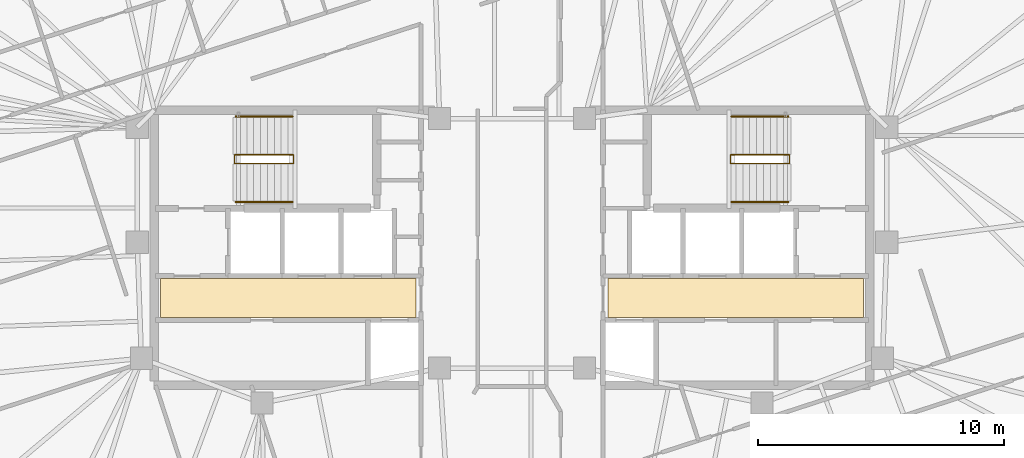
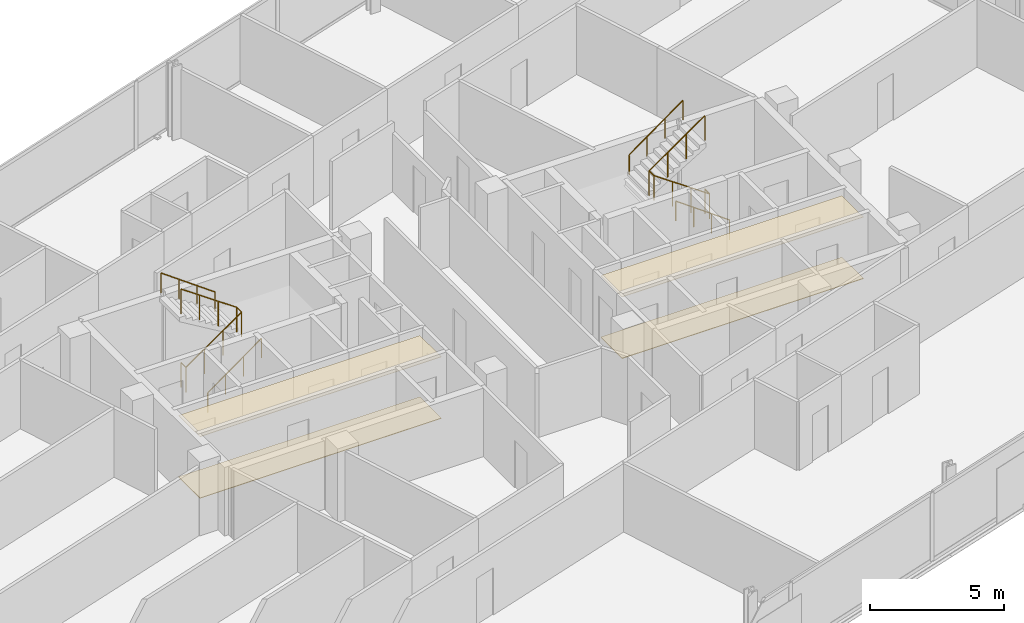
# One storey, part 19 of 19: 6 railings, 4 coverings.
"""IFC4 building model written with IfcOpenShell, lengths in metres."""

from ifc_helpers import new_model, si_unit, direction, frame, origin, origin_2d, place, context, subcontext, project, spatial, polyline, circle, outline, extrude, material, layer, layer_set, type_object, element, save


model = new_model("IFC4")

# Units and contexts
model_context = context("Model", 3, precision=1e-05, world=origin(), true_north=direction((0.0, 1.0)))
body_context = subcontext(model_context, "Body", "Model", "MODEL_VIEW")
ifc_project = project(units=[si_unit("LENGTHUNIT", "METRE"), si_unit("AREAUNIT", "SQUARE_METRE"), si_unit("VOLUMEUNIT", "CUBIC_METRE"), si_unit("PLANEANGLEUNIT", "RADIAN"), si_unit("MASSUNIT", "GRAM", prefix="KILO")], contexts=[model_context])

# Site, building, storey
site_placement = place(None, origin())
site = spatial("IfcSite", under=ifc_project, at=site_placement, CompositionType="ELEMENT")
building_placement = place(site_placement, origin())
building = spatial("IfcBuilding", under=site, at=building_placement, Name="Menara Jurai Vektor", CompositionType="ELEMENT")
storey_placement = place(building_placement, frame((0.0, 0.0, 210.89990234375)))
storey = spatial("IfcBuildingStorey", under=building, at=storey_placement, Name="L55", CompositionType="ELEMENT", Elevation=210.89990234375)

# Coverings
ifc_material_1 = material(Name="Mineral Fibre Acoustic Ceiling Tile", Category="gypsum")
ifc_layer_1 = layer(ifc_material_1, 0.02001953125)
ifc_layer_set_1 = layer_set([ifc_layer_1], Name="Mineral Fibre Acoustic Ceiling Tile")
covering_type_1 = type_object("IfcCoveringType", Name="COV-CEILING-ACOUSTIC", PredefinedType="CEILING", material=ifc_layer_set_1)
covering_1_placement = place(storey_placement, frame((0.0, 0.0, 2.80517578125)))
element("IfcCovering", 1, at=covering_1_placement, inside=storey, type_object=covering_type_1, Name="Acoustic Lift Lobby Ceiling W L55", PredefinedType="CEILING", context=body_context, shape_type="SweptSolid", body=[
    extrude(outline(polyline([(-14.300048828125, -2.85009765625), (-3.89990234375, -2.85009765625), (-3.89990234375, -1.25), (-14.300048828125, -1.25), (-14.300048828125, -2.85009765625)])), origin(), (0.0, 0.0, 1.0), 0.02001953125),
])
covering_2_placement = place(storey_placement, frame((0.0, 0.0, 2.80517578125)))
element("IfcCovering", 2, at=covering_2_placement, inside=storey, type_object=covering_type_1, Name="Acoustic Lift Lobby Ceiling E L55", PredefinedType="CEILING", context=body_context, shape_type="SweptSolid", body=[
    extrude(outline(polyline([(3.89990234375, -2.85009765625), (14.300048828125, -2.85009765625), (14.300048828125, -1.25), (3.89990234375, -1.25), (3.89990234375, -2.85009765625)])), origin(), (0.0, 0.0, 1.0), 0.02001953125),
])
ifc_material_2 = material(Name="Honed Granite Lobby Flooring", Category="masonry")
ifc_layer_2 = layer(ifc_material_2, 0.02490234375)
ifc_layer_set_2 = layer_set([ifc_layer_2], Name="Honed Granite Lobby Flooring")
covering_type_2 = type_object("IfcCoveringType", Name="COV-FLOOR-STONE", PredefinedType="FLOORING", material=ifc_layer_set_2)
covering_3_placement = place(storey_placement, origin())
element("IfcCovering", 3, at=covering_3_placement, inside=storey, type_object=covering_type_2, Name="Granite Lift Lobby Flooring W L55", PredefinedType="FLOORING", context=body_context, shape_type="SweptSolid", body=[
    extrude(outline(polyline([(-14.300048828125, -2.85009765625), (-3.89990234375, -2.85009765625), (-3.89990234375, -1.25), (-14.300048828125, -1.25), (-14.300048828125, -2.85009765625)])), origin(), (0.0, 0.0, 1.0), 0.025146484375),
])
covering_4_placement = place(storey_placement, origin())
element("IfcCovering", 4, at=covering_4_placement, inside=storey, type_object=covering_type_2, Name="Granite Lift Lobby Flooring E L55", PredefinedType="FLOORING", context=body_context, shape_type="SweptSolid", body=[
    extrude(outline(polyline([(3.89990234375, -2.85009765625), (14.300048828125, -2.85009765625), (14.300048828125, -1.25), (3.89990234375, -1.25), (3.89990234375, -2.85009765625)])), origin(), (0.0, 0.0, 1.0), 0.025146484375),
])

# Railings
ifc_material_3 = material(Name="Painted Galvanised Steel Balustrade", Category="steel")
railing_type_1 = type_object("IfcRailingType", Name="RAIL-STAIR-GUARD", PredefinedType="GUARDRAIL", material=ifc_material_3)
railing_1_placement = place(storey_placement, frame((-11.2900390625, 3.780029296875, 0.0)))
element("IfcRailing", 5, at=railing_1_placement, inside=storey, type_object=railing_type_1, Name="ST1 Stair Guardrail 1 L55", PredefinedType="GUARDRAIL", context=body_context, shape_type="SweptSolid", body=[
    extrude(circle(Radius=0.02392578125, at=origin_2d()), frame((0.0, 0.0, 1.1259765625), z_axis=(0.0, -1.0, 0.0), x_axis=(1.0, 0.0, 0.0)), (0.0, 0.0, 1.0), 0.360107421875),
    extrude(circle(Radius=0.02392578125, at=origin_2d()), frame((0.0, -0.360107421875, 1.1259765625), z_axis=(0.820042287322, 0.0, 0.572302932898), x_axis=(0.0, 1.0, 0.0)), (0.0, 0.0, 1.0), 2.9267578125),
    extrude(circle(Radius=0.02392578125, at=origin_2d()), frame((2.400146484375, -0.360107421875, 2.80078125), z_axis=(0.0, 1.0, 0.0), x_axis=(-1.0, 0.0, 0.0)), (0.0, 0.0, 1.0), 0.360107421875),
    extrude(circle(Radius=0.02392578125, at=origin_2d()), frame((2.400146484375, 0.0, 2.80078125), z_axis=(-0.820042287322, 0.0, 0.572302932898), x_axis=(0.0, -1.0, 0.0)), (0.0, 0.0, 1.0), 2.9267578125),
    extrude(circle(Radius=0.02099609375, at=origin_2d()), origin(), (0.0, 0.0, 1.0), 1.101806640625),
    extrude(circle(Radius=0.02099609375, at=origin_2d()), frame((0.0, -0.360107421875, 0.0)), (0.0, 0.0, 1.0), 1.101806640625),
    extrude(circle(Radius=0.02099609375, at=origin_2d()), frame((0.800048828125, -0.360107421875, 0.558349609375)), (0.0, 0.0, 1.0), 1.101806640625),
    extrude(circle(Radius=0.02099609375, at=origin_2d()), frame((1.60009765625, -0.360107421875, 1.11669921875)), (0.0, 0.0, 1.0), 1.101806640625),
    extrude(circle(Radius=0.02099609375, at=origin_2d()), frame((2.400146484375, -0.360107421875, 1.675048828125)), (0.0, 0.0, 1.0), 1.101806640625),
    extrude(circle(Radius=0.02099609375, at=origin_2d()), frame((2.400146484375, 0.0, 1.675048828125)), (0.0, 0.0, 1.0), 1.101806640625),
    extrude(circle(Radius=0.02099609375, at=origin_2d()), frame((1.60009765625, 0.0, 2.2333984375)), (0.0, 0.0, 1.0), 1.101806640625),
    extrude(circle(Radius=0.02099609375, at=origin_2d()), frame((0.800048828125, 0.0, 2.791748046875)), (0.0, 0.0, 1.0), 1.101806640625),
    extrude(circle(Radius=0.02099609375, at=origin_2d()), frame((0.0, 0.0, 3.35009765625)), (0.0, 0.0, 1.0), 1.101806640625),
])
railing_2_placement = place(storey_placement, frame((11.2900390625, 3.780029296875, 0.0)))
element("IfcRailing", 6, at=railing_2_placement, inside=storey, type_object=railing_type_1, Name="ST2 Stair Guardrail 1 L55", PredefinedType="GUARDRAIL", context=body_context, shape_type="SweptSolid", body=[
    extrude(circle(Radius=0.02392578125, at=origin_2d()), frame((0.0, 0.0, 1.1259765625), z_axis=(0.0, -1.0, 0.0), x_axis=(1.0, 0.0, 0.0)), (0.0, 0.0, 1.0), 0.360107421875),
    extrude(circle(Radius=0.02392578125, at=origin_2d()), frame((0.0, -0.360107421875, 1.1259765625), z_axis=(-0.820042287322, 0.0, 0.572302932898), x_axis=(0.0, -1.0, 0.0)), (0.0, 0.0, 1.0), 2.9267578125),
    extrude(circle(Radius=0.02392578125, at=origin_2d()), frame((-2.400146484375, -0.360107421875, 2.80078125), z_axis=(0.0, 1.0, 0.0), x_axis=(-1.0, 0.0, 0.0)), (0.0, 0.0, 1.0), 0.360107421875),
    extrude(circle(Radius=0.02392578125, at=origin_2d()), frame((-2.400146484375, 0.0, 2.80078125), z_axis=(0.820042287322, 0.0, 0.572302932898), x_axis=(0.0, 1.0, 0.0)), (0.0, 0.0, 1.0), 2.9267578125),
    extrude(circle(Radius=0.02099609375, at=origin_2d()), origin(), (0.0, 0.0, 1.0), 1.101806640625),
    extrude(circle(Radius=0.02099609375, at=origin_2d()), frame((0.0, -0.360107421875, 0.0)), (0.0, 0.0, 1.0), 1.101806640625),
    extrude(circle(Radius=0.02099609375, at=origin_2d()), frame((-0.800048828125, -0.360107421875, 0.558349609375)), (0.0, 0.0, 1.0), 1.101806640625),
    extrude(circle(Radius=0.02099609375, at=origin_2d()), frame((-1.60009765625, -0.360107421875, 1.11669921875)), (0.0, 0.0, 1.0), 1.101806640625),
    extrude(circle(Radius=0.02099609375, at=origin_2d()), frame((-2.400146484375, -0.360107421875, 1.675048828125)), (0.0, 0.0, 1.0), 1.101806640625),
    extrude(circle(Radius=0.02099609375, at=origin_2d()), frame((-2.400146484375, 0.0, 1.675048828125)), (0.0, 0.0, 1.0), 1.101806640625),
    extrude(circle(Radius=0.02099609375, at=origin_2d()), frame((-1.60009765625, 0.0, 2.2333984375)), (0.0, 0.0, 1.0), 1.101806640625),
    extrude(circle(Radius=0.02099609375, at=origin_2d()), frame((-0.800048828125, 0.0, 2.791748046875)), (0.0, 0.0, 1.0), 1.101806640625),
    extrude(circle(Radius=0.02099609375, at=origin_2d()), frame((0.0, 0.0, 3.35009765625)), (0.0, 0.0, 1.0), 1.101806640625),
])
ifc_material_4 = material(Name="Brushed Stainless Steel Handrail", Category="steel")
railing_type_2 = type_object("IfcRailingType", Name="RAIL-STAIR-HAND", PredefinedType="HANDRAIL", material=ifc_material_4)
railing_3_placement = place(storey_placement, frame((-11.25, 1.860107421875, 0.0)))
element("IfcRailing", 7, at=railing_3_placement, inside=storey, type_object=railing_type_2, Name="ST1 Stair Handrail 1 L55", PredefinedType="HANDRAIL", context=body_context, shape_type="SweptSolid", body=[
    extrude(circle(Radius=0.02392578125, at=origin_2d()), frame((0.0, 0.0, 0.89599609375), z_axis=(0.810771458067, 0.0, 0.585362830032), x_axis=(0.0, 1.0, 0.0)), (0.0, 0.0, 1.0), 2.861572265625),
    extrude(circle(Radius=0.02099609375, at=origin_2d()), origin(), (0.0, 0.0, 1.0), 0.871826171875),
    extrude(circle(Radius=0.02099609375, at=origin_2d()), frame((0.7734375, 0.0, 0.558349609375)), (0.0, 0.0, 1.0), 0.871826171875),
    extrude(circle(Radius=0.02099609375, at=origin_2d()), frame((1.546630859375, 0.0, 1.11669921875)), (0.0, 0.0, 1.0), 0.871826171875),
    extrude(circle(Radius=0.02099609375, at=origin_2d()), frame((2.320068359375, 0.0, 1.675048828125)), (0.0, 0.0, 1.0), 0.871826171875),
])
for number, where, name in (
    (8, (-8.929931640625, 5.340087890625, 1.675048828125), "ST1 Stair Handrail 2 L55"),
    (9, (11.25, 1.860107421875, 0.0), "ST2 Stair Handrail 1 L55"),
):
    element("IfcRailing", number, at=place(storey_placement, frame(where)), inside=storey, type_object=railing_type_2, Name=name, PredefinedType="HANDRAIL", context=body_context, shape_type="SweptSolid", body=[
        extrude(circle(Radius=0.02392578125, at=origin_2d()), frame((0.0, 0.0, 0.89599609375), z_axis=(-0.810771458067, 0.0, 0.585362830032), x_axis=(0.0, -1.0, 0.0)), (0.0, 0.0, 1.0), 2.861572265625),
        extrude(circle(Radius=0.02099609375, at=origin_2d()), origin(), (0.0, 0.0, 1.0), 0.871826171875),
        extrude(circle(Radius=0.02099609375, at=origin_2d()), frame((-0.7734375, 0.0, 0.558349609375)), (0.0, 0.0, 1.0), 0.871826171875),
        extrude(circle(Radius=0.02099609375, at=origin_2d()), frame((-1.546630859375, 0.0, 1.11669921875)), (0.0, 0.0, 1.0), 0.871826171875),
        extrude(circle(Radius=0.02099609375, at=origin_2d()), frame((-2.320068359375, 0.0, 1.675048828125)), (0.0, 0.0, 1.0), 0.871826171875),
    ])
railing_4_placement = place(storey_placement, frame((8.929931640625, 5.340087890625, 1.675048828125)))
element("IfcRailing", 10, at=railing_4_placement, inside=storey, type_object=railing_type_2, Name="ST2 Stair Handrail 2 L55", PredefinedType="HANDRAIL", context=body_context, shape_type="SweptSolid", body=[
    extrude(circle(Radius=0.02392578125, at=origin_2d()), frame((0.0, 0.0, 0.89599609375), z_axis=(0.810771458067, 0.0, 0.585362830032), x_axis=(0.0, 1.0, 0.0)), (0.0, 0.0, 1.0), 2.861572265625),
    extrude(circle(Radius=0.02099609375, at=origin_2d()), origin(), (0.0, 0.0, 1.0), 0.871826171875),
    extrude(circle(Radius=0.02099609375, at=origin_2d()), frame((0.7734375, 0.0, 0.558349609375)), (0.0, 0.0, 1.0), 0.871826171875),
    extrude(circle(Radius=0.02099609375, at=origin_2d()), frame((1.546630859375, 0.0, 1.11669921875)), (0.0, 0.0, 1.0), 0.871826171875),
    extrude(circle(Radius=0.02099609375, at=origin_2d()), frame((2.320068359375, 0.0, 1.675048828125)), (0.0, 0.0, 1.0), 0.871826171875),
])

save(model, "model.ifc")
